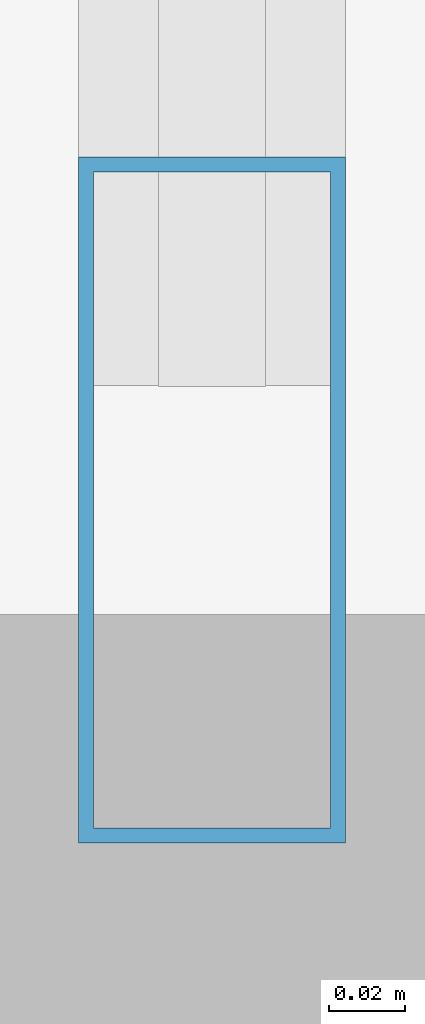
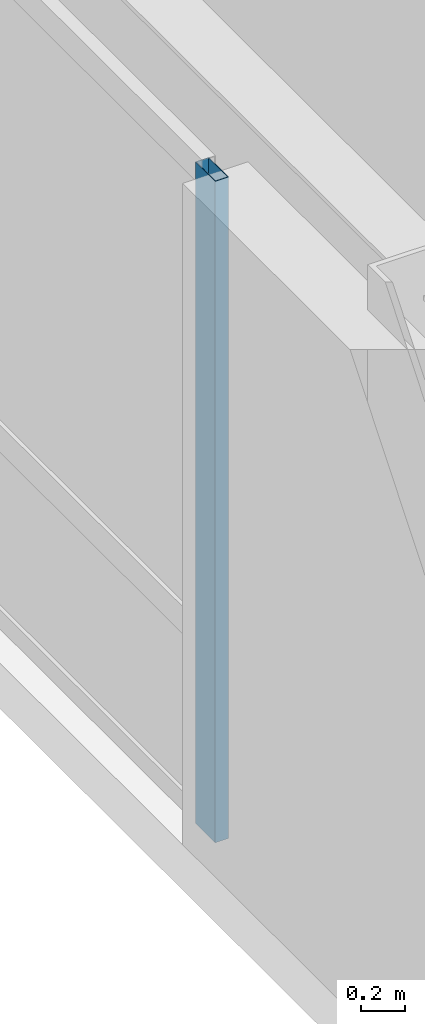
# One storey, part 2 of 29: 1 member, 1 element without a shape of its own.
"""IFC4 building model written with IfcOpenShell, lengths in metres."""

from ifc_helpers import new_model, si_unit, direction, frame, origin, origin_2d, place, context, subcontext, project, spatial, hollow_rectangle, extrude, material, layer, layer_set, material_profile, profile_set, type_object, element, aggregate, save


model = new_model("IFC4")

# Units and contexts
model_context = context("Model", 3, precision=1e-05, world=origin(), true_north=direction((0.0, 1.0)))
body_context = subcontext(model_context, "Body", "Model", "MODEL_VIEW")
ifc_project = project(units=[si_unit("LENGTHUNIT", "METRE"), si_unit("AREAUNIT", "SQUARE_METRE"), si_unit("VOLUMEUNIT", "CUBIC_METRE"), si_unit("PLANEANGLEUNIT", "RADIAN"), si_unit("MASSUNIT", "GRAM", prefix="KILO")], contexts=[model_context])

# Site, building, storey
site_placement = place(None, origin())
site = spatial("IfcSite", under=ifc_project, at=site_placement, CompositionType="ELEMENT")
building_placement = place(site_placement, origin())
building = spatial("IfcBuilding", under=site, at=building_placement, Name="Voryun Gate Residences", CompositionType="ELEMENT")
storey_placement = place(building_placement, frame((0.0, 0.0, 211.89990234375)))
storey = spatial("IfcBuildingStorey", under=building, at=storey_placement, Name="L52", CompositionType="ELEMENT", Elevation=211.89990234375)

# Curtain wall, member
ifc_material_1 = material(Name="Anodised aluminium", Category="aluminium")
ifc_layer = layer(ifc_material_1, 0.18994140625, Name="CW_SYS_RES_B_DARK_GLASS")
ifc_layer_set = layer_set([ifc_layer], Name="Anodised aluminium")
curtain_wall_type = type_object("IfcCurtainWallType", Name="CW_SYS_RES_B_DARK_GLASS", PredefinedType="NOTDEFINED", material=ifc_layer_set)
curtain_wall_placement = place(storey_placement, origin())
curtain_wall = element("IfcCurtainWall", 1, at=curtain_wall_placement, inside=storey, type_object=curtain_wall_type, Name="Curtain wall CWT-L52-06", PredefinedType="NOTDEFINED")
ifc_material_2 = material(Name="Anodised aluminium", Category="aluminium")
ifc_material_profile = material_profile(ifc_material_2, hollow_rectangle(XDim=0.070068359375, YDim=0.179931640625, WallThickness=0.00390625, at=origin_2d()), Name="ALU-MULL-180x70x4")
ifc_profile_set = profile_set([ifc_material_profile], Name="Anodised aluminium")
member_type = type_object("IfcMemberType", Name="CW_MULL_RES", PredefinedType="MULLION", material=ifc_profile_set)
member_placement = place(storey_placement, frame((-26.22998046875, -4.484619140625, 0.0), z_axis=(0.0, 0.0, 1.0), x_axis=(-1.0, 0.0, 0.0)))
member = element("IfcMember", 2, at=member_placement, type_object=member_type, Name="CW4 mullion 1", PredefinedType="MULLION", context=body_context, shape_type="SweptSolid", body=[
    extrude(hollow_rectangle(XDim=0.070068359375, YDim=0.179931640625, WallThickness=0.00390625, at=origin_2d()), origin(), (0.0, 0.0, 1.0), 3.650146484375),
])
aggregate(curtain_wall, [member])

save(model, "model.ifc")
